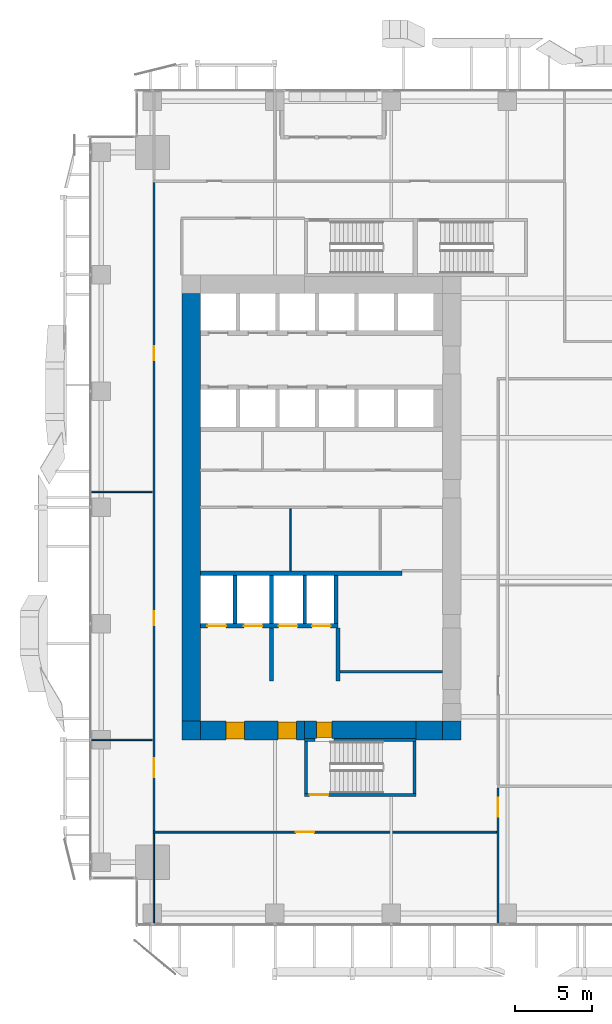
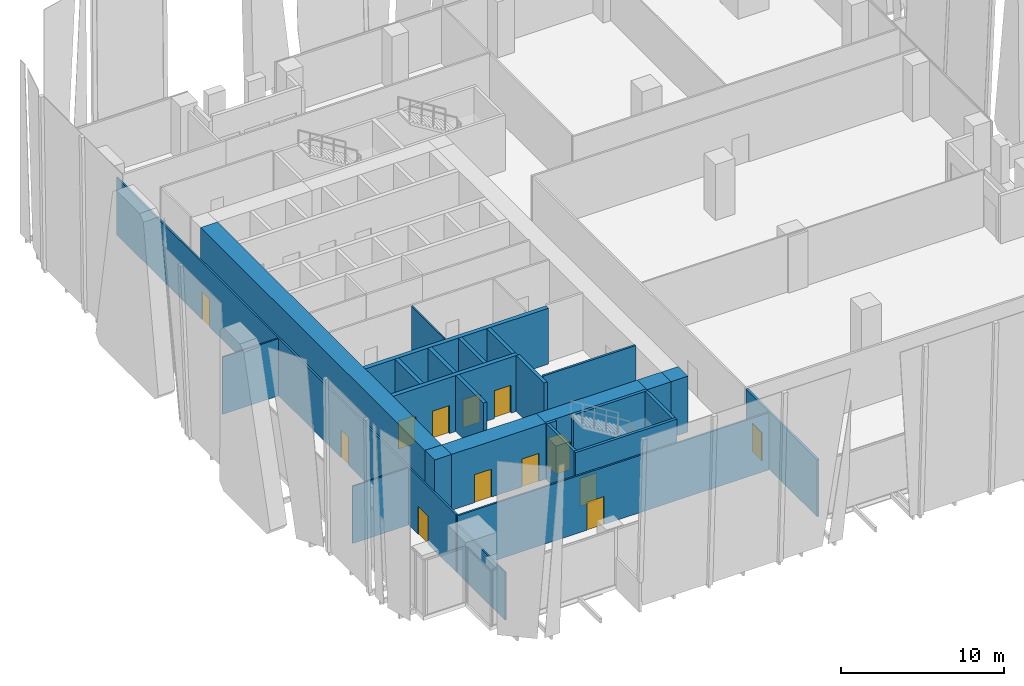
# One storey, part 26 of 34: 27 walls, 13 doors, 13 openings.
"""IFC4 building model written with IfcOpenShell, lengths in metres."""

from ifc_helpers import new_model, si_unit, direction, frame, frame_2d, origin, place, context, subcontext, project, spatial, rectangle, extrude, source, transform, mapped, material, layer, layer_set, type_object, element, fill, save


model = new_model("IFC4")

# Units and contexts
model_context = context("Model", 3, precision=1e-05, world=origin(), true_north=direction((0.0, 1.0)))
body_context = subcontext(model_context, "Body", "Model", "MODEL_VIEW")
ifc_project = project(units=[si_unit("LENGTHUNIT", "METRE"), si_unit("AREAUNIT", "SQUARE_METRE"), si_unit("VOLUMEUNIT", "CUBIC_METRE"), si_unit("PLANEANGLEUNIT", "RADIAN"), si_unit("MASSUNIT", "GRAM", prefix="KILO")], contexts=[model_context])

# Site, building, storey
site_placement = place(None, origin())
site = spatial("IfcSite", under=ifc_project, at=site_placement, CompositionType="ELEMENT")
building_placement = place(site_placement, origin())
building = spatial("IfcBuilding", under=site, at=building_placement, Name="Khomas Fold Tower", CompositionType="ELEMENT")
storey_placement = place(building_placement, frame((0.0, 0.0, 73.5)))
storey = spatial("IfcBuildingStorey", under=building, at=storey_placement, Name="L15", CompositionType="ELEMENT", Elevation=73.5)

# Wall, openings, doors
ifc_material_1 = material(Name="Concrete C70/85", Category="concrete")
ifc_layer_1 = layer(ifc_material_1, 1.199951171875)
ifc_layer_set_1 = layer_set([ifc_layer_1], Name="Concrete C70/85")
wall_type_1 = type_object("IfcWallType", Name="Core wall 1200", PredefinedType="SHEAR", material=ifc_layer_set_1)
shared_shape_1 = source(origin(), body_context, "Body", "SweptSolid", [
    extrude(rectangle(XDim=6.699951171875, YDim=1.199951171875, at=frame_2d((3.35009765625, 0.0))), origin(), (0.0, 0.0, 1.0), 4.199951171875),
])
wall_1_placement = place(storey_placement, frame((7.199951171875, 12.60009765625, 0.0), z_axis=(0.0, 0.0, 1.0), x_axis=(1.0, 0.0, 0.0)))
wall_1 = element("IfcWall", 1, at=wall_1_placement, inside=storey, type_object=wall_type_1, Name="Core wall CW-L-S-B2", PredefinedType="SHEAR", context=body_context, shape_type="MappedRepresentation", body=[
    mapped(shared_shape_1, transform((0.0, 0.0, 0.0))),
])
shared_shape_2 = source(origin(), body_context, "Body", "SweptSolid", [
    extrude(rectangle(XDim=1.199951171875, YDim=2.10009765625, at=frame_2d((0.60009765625, 1.050048828125))), frame((0.0, 0.60986328125, 0.0), z_axis=(0.0, -1.0, 0.0), x_axis=(1.0, 0.0, 0.0)), (0.0, 0.0, 1.0), 1.219970703125),
])
opening_1_placement = place(wall_1_placement, frame((5.0, 0.0, 0.0)))
opening_1 = element("IfcOpeningElement", 2, at=opening_1_placement, cuts=wall_1, Name="Opening 0009", PredefinedType="OPENING", context=body_context, shape_type="MappedRepresentation", body=[
    mapped(shared_shape_2, transform((0.0, 0.0, 0.0))),
])
opening_2_placement = place(wall_1_placement, frame((1.64990234375, 0.0, 0.0)))
opening_2 = element("IfcOpeningElement", 3, at=opening_2_placement, cuts=wall_1, Name="Opening 0009", PredefinedType="OPENING", context=body_context, shape_type="MappedRepresentation", body=[
    mapped(shared_shape_2, transform((0.0, 0.0, 0.0))),
])
ifc_material_2 = material(Name="Steel door leaf", Category="steel")
door_type_1 = type_object("IfcDoorType", Name="Lobby door 1200x2100 right-hand", OperationType="SINGLE_SWING_RIGHT", PredefinedType="DOOR", material=ifc_material_2)
shared_shape_3 = source(origin(), body_context, "Body", "SweptSolid", [
    extrude(rectangle(XDim=1.199951171875, YDim=2.10009765625, at=frame_2d((0.60009765625, 1.050048828125))), frame((0.0, 0.5498046875, 0.0), z_axis=(0.0, -1.0, 0.0), x_axis=(1.0, 0.0, 0.0)), (0.0, 0.0, 1.0), 1.099853515625),
])
door_1_placement = place(opening_1_placement, origin())
door_1 = element("IfcDoor", 4, at=door_1_placement, inside=storey, type_object=door_type_1, Name="Lobby door", OperationType="SINGLE_SWING_RIGHT", OverallHeight=2.10009765625, OverallWidth=1.199951171875, PredefinedType="DOOR", context=body_context, shape_type="MappedRepresentation", body=[
    mapped(shared_shape_3, transform((0.0, 0.0, 0.0))),
])
fill(opening_1, door_1)
door_2_placement = place(opening_2_placement, origin())
door_2 = element("IfcDoor", 5, at=door_2_placement, inside=storey, type_object=door_type_1, Name="Lobby door", OperationType="SINGLE_SWING_RIGHT", OverallHeight=2.10009765625, OverallWidth=1.199951171875, PredefinedType="DOOR", context=body_context, shape_type="MappedRepresentation", body=[
    mapped(shared_shape_3, transform((0.0, 0.0, 0.0))),
])
fill(opening_2, door_2)

# Walls
ifc_material_3 = material(Name="Concrete C70/85", Category="concrete")
ifc_layer_2 = layer(ifc_material_3, 1.199951171875)
ifc_layer_set_2 = layer_set([ifc_layer_2], Name="Concrete C70/85")
wall_type_2 = type_object("IfcWallType", Name="Core corner wall 1200", PredefinedType="SHEAR", material=ifc_layer_set_2)
shared_shape_4 = source(origin(), body_context, "Body", "SweptSolid", [
    extrude(rectangle(XDim=1.199951171875, YDim=1.199951171875, at=frame_2d((0.60009765625, 0.0))), origin(), (0.0, 0.0, 1.0), 4.199951171875),
])
for number, where, z_axis, x_axis, name in (
    (6, (22.800048828125, 12.60009765625, 0.0), (0.0, 0.0, 1.0), (1.0, 0.0, 0.0), "Core wall CW-L-SE-B2"),
    (7, (6.0, 12.60009765625, 0.0), (0.0, 0.0, 1.0), (1.0, 0.0, 0.0), "Core wall CW-L-SW-B2"),
):
    element("IfcWall", number, at=place(storey_placement, frame(where, z_axis=z_axis, x_axis=x_axis)), inside=storey, type_object=wall_type_2, Name=name, PredefinedType="SHEAR", context=body_context, shape_type="MappedRepresentation", body=[
        mapped(shared_shape_4, transform((0.0, 0.0, 0.0))),
    ])

# Wall, opening, door
ifc_material_4 = material(Name="Concrete C70/85", Category="concrete")
ifc_layer_3 = layer(ifc_material_4, 1.10009765625)
ifc_layer_set_3 = layer_set([ifc_layer_3], Name="Concrete C70/85")
wall_type_3 = type_object("IfcWallType", Name="Core wall 1100", PredefinedType="SHEAR", material=ifc_layer_set_3)
shared_shape_5 = source(origin(), body_context, "Body", "SweptSolid", [
    extrude(rectangle(XDim=7.2001953125, YDim=1.10009765625, at=frame_2d((3.60009765625, 0.0))), origin(), (0.0, 0.0, 1.0), 4.199951171875),
])
wall_2_placement = place(storey_placement, frame((13.89990234375, 12.64990234375, 0.0), z_axis=(0.0, 0.0, 1.0), x_axis=(1.0, 0.0, 0.0)))
wall_2 = element("IfcWall", 8, at=wall_2_placement, inside=storey, type_object=wall_type_3, Name="Core wall CW-L-S-B2-1", PredefinedType="SHEAR", context=body_context, shape_type="MappedRepresentation", body=[
    mapped(shared_shape_5, transform((0.0, 0.0, 0.0))),
])
shared_shape_6 = source(origin(), body_context, "Body", "SweptSolid", [
    extrude(rectangle(XDim=1.0, YDim=2.10009765625, at=frame_2d((0.5, 1.050048828125))), frame((0.0, 0.56005859375, 0.0), z_axis=(0.0, -1.0, 0.0), x_axis=(1.0, 0.0, 0.0)), (0.0, 0.0, 1.0), 1.1201171875),
])
opening_3_placement = place(wall_2_placement, frame((0.800048828125, 0.0, 0.0)))
opening_3 = element("IfcOpeningElement", 9, at=opening_3_placement, cuts=wall_2, Name="Opening 0010", PredefinedType="OPENING", context=body_context, shape_type="MappedRepresentation", body=[
    mapped(shared_shape_6, transform((0.0, 0.0, 0.0))),
])
ifc_material_5 = material(Name="Steel door leaf", Category="steel")
door_type_2 = type_object("IfcDoorType", Name="Stair door 1000x2100 right-hand", OperationType="SINGLE_SWING_RIGHT", PredefinedType="DOOR", material=ifc_material_5)
shared_shape_7 = source(origin(), body_context, "Body", "SweptSolid", [
    extrude(rectangle(XDim=1.0, YDim=2.10009765625, at=frame_2d((0.5, 1.050048828125))), frame((0.0, 0.5, 0.0), z_axis=(0.0, -1.0, 0.0), x_axis=(1.0, 0.0, 0.0)), (0.0, 0.0, 1.0), 1.0),
])
door_3_placement = place(opening_3_placement, origin())
door_3 = element("IfcDoor", 10, at=door_3_placement, inside=storey, type_object=door_type_2, Name="Stair door", OperationType="SINGLE_SWING_RIGHT", OverallHeight=2.10009765625, OverallWidth=1.0, PredefinedType="DOOR", context=body_context, shape_type="MappedRepresentation", body=[
    mapped(shared_shape_7, transform((0.0, 0.0, 0.0))),
])
fill(opening_3, door_3)

# Walls
shared_shape_8 = source(origin(), body_context, "Body", "SweptSolid", [
    extrude(rectangle(XDim=1.699951171875, YDim=1.199951171875, at=frame_2d((0.85009765625, 0.0))), origin(), (0.0, 0.0, 1.0), 4.199951171875),
])
wall_3_placement = place(storey_placement, frame((21.10009765625, 12.60009765625, 0.0), z_axis=(0.0, 0.0, 1.0), x_axis=(1.0, 0.0, 0.0)))
element("IfcWall", 11, at=wall_3_placement, inside=storey, type_object=wall_type_1, Name="Core wall CW-L-S-B2-2", PredefinedType="SHEAR", context=body_context, shape_type="MappedRepresentation", body=[
    mapped(shared_shape_8, transform((0.0, 0.0, 0.0))),
])
shared_shape_9 = source(origin(), body_context, "Body", "SweptSolid", [
    extrude(rectangle(XDim=27.60009765625, YDim=1.199951171875, at=frame_2d((13.800048828125, 0.0))), origin(), (0.0, 0.0, 1.0), 4.199951171875),
])
wall_4_placement = place(storey_placement, frame((6.60009765625, 13.199951171875, 0.0), z_axis=(0.0, 0.0, 1.0), x_axis=(0.0, 1.0, 0.0)))
element("IfcWall", 12, at=wall_4_placement, inside=storey, type_object=wall_type_1, Name="Core wall CW-L-W-B2", PredefinedType="SHEAR", context=body_context, shape_type="MappedRepresentation", body=[
    mapped(shared_shape_9, transform((0.0, 0.0, 0.0))),
])
ifc_material_6 = material(Name="Concrete C50/60", Category="concrete")
ifc_layer_4 = layer(ifc_material_6, 0.199951171875)
ifc_layer_set_4 = layer_set([ifc_layer_4], Name="Concrete C50/60")
wall_type_4 = type_object("IfcWallType", Name="Stair wall 200", PredefinedType="SHEAR", material=ifc_layer_set_4)
shared_shape_10 = source(origin(), body_context, "Body", "SweptSolid", [
    extrude(rectangle(XDim=0.7001953125, YDim=0.199951171875, at=frame_2d((0.35009765625, 0.0))), origin(), (0.0, 0.0, 1.0), 4.199951171875),
])
wall_5_placement = place(storey_placement, frame((13.89990234375, 12.0, 0.0), z_axis=(0.0, 0.0, 1.0), x_axis=(1.0, 0.0, 0.0)))
element("IfcWall", 13, at=wall_5_placement, inside=storey, type_object=wall_type_4, Name="Stair wall SW-ST2-N", PredefinedType="SHEAR", context=body_context, shape_type="MappedRepresentation", body=[
    mapped(shared_shape_10, transform((0.0, 0.0, 0.0))),
])
shared_shape_11 = source(origin(), body_context, "Body", "SweptSolid", [
    extrude(rectangle(XDim=5.300048828125, YDim=0.199951171875, at=frame_2d((2.64990234375, 0.0))), origin(), (0.0, 0.0, 1.0), 4.199951171875),
])
wall_6_placement = place(storey_placement, frame((15.800048828125, 12.0, 0.0), z_axis=(0.0, 0.0, 1.0), x_axis=(1.0, 0.0, 0.0)))
element("IfcWall", 14, at=wall_6_placement, inside=storey, type_object=wall_type_4, Name="Stair wall SW-ST2-NB", PredefinedType="SHEAR", context=body_context, shape_type="MappedRepresentation", body=[
    mapped(shared_shape_11, transform((0.0, 0.0, 0.0))),
])

# Wall, opening, door
shared_shape_12 = source(origin(), body_context, "Body", "SweptSolid", [
    extrude(rectangle(XDim=7.2001953125, YDim=0.199951171875, at=frame_2d((3.60009765625, 0.0))), origin(), (0.0, 0.0, 1.0), 4.199951171875),
])
wall_7_placement = place(storey_placement, frame((13.89990234375, 8.449951171875, 0.0), z_axis=(0.0, 0.0, 1.0), x_axis=(1.0, 0.0, 0.0)))
wall_7 = element("IfcWall", 15, at=wall_7_placement, inside=storey, type_object=wall_type_4, Name="Stair wall SW-ST2-S", PredefinedType="SHEAR", context=body_context, shape_type="MappedRepresentation", body=[
    mapped(shared_shape_12, transform((0.0, 0.0, 0.0))),
])
shared_shape_13 = source(origin(), body_context, "Body", "SweptSolid", [
    extrude(rectangle(XDim=1.199951171875, YDim=2.10009765625, at=frame_2d((0.60009765625, 1.050048828125))), frame((0.0, 0.10986328125, 0.0), z_axis=(0.0, -1.0, 0.0), x_axis=(1.0, 0.0, 0.0)), (0.0, 0.0, 1.0), 0.219970703125),
])
opening_4_placement = place(wall_7_placement, frame((0.35009765625, 0.0, 0.0)))
opening_4 = element("IfcOpeningElement", 16, at=opening_4_placement, cuts=wall_7, Name="Opening SD-ST2", PredefinedType="OPENING", context=body_context, shape_type="MappedRepresentation", body=[
    mapped(shared_shape_13, transform((0.0, 0.0, 0.0))),
])
ifc_material_7 = material(Name="Steel door leaf", Category="steel")
door_type_3 = type_object("IfcDoorType", Name="Stair door 1200x2100 right-hand", OperationType="SINGLE_SWING_RIGHT", PredefinedType="DOOR", material=ifc_material_7)
shared_shape_14 = source(origin(), body_context, "Body", "SweptSolid", [
    extrude(rectangle(XDim=1.199951171875, YDim=2.10009765625, at=frame_2d((0.60009765625, 1.050048828125))), frame((0.0, 0.02490234375, 0.0), z_axis=(0.0, -1.0, 0.0), x_axis=(1.0, 0.0, 0.0)), (0.0, 0.0, 1.0), 0.050048828125),
])
door_4_placement = place(opening_4_placement, origin())
door_4 = element("IfcDoor", 17, at=door_4_placement, inside=storey, type_object=door_type_3, Name="Stair door", OperationType="SINGLE_SWING_RIGHT", OverallHeight=2.10009765625, OverallWidth=1.199951171875, PredefinedType="DOOR", context=body_context, shape_type="MappedRepresentation", body=[
    mapped(shared_shape_14, transform((0.0, 0.0, 0.0))),
])
fill(opening_4, door_4)

# Walls
shared_shape_15 = source(origin(), body_context, "Body", "SweptSolid", [
    extrude(rectangle(XDim=3.349853515625, YDim=0.199951171875, at=frame_2d((1.6748046875, 0.0))), origin(), (0.0, 0.0, 1.0), 4.199951171875),
])
for number, where, z_axis, x_axis, name in (
    (18, (21.0, 8.550048828125, 0.0), (0.0, 0.0, 1.0), (0.0, 1.0, 0.0), "Stair wall SW-ST2-E"),
    (19, (14.0, 8.550048828125, 0.0), (0.0, 0.0, 1.0), (0.0, 1.0, 0.0), "Stair wall SW-ST2-W"),
):
    element("IfcWall", number, at=place(storey_placement, frame(where, z_axis=z_axis, x_axis=x_axis)), inside=storey, type_object=wall_type_4, Name=name, PredefinedType="SHEAR", context=body_context, shape_type="MappedRepresentation", body=[
        mapped(shared_shape_15, transform((0.0, 0.0, 0.0))),
    ])
ifc_material_8 = material(Name="Concrete C50/60", Category="concrete")
ifc_layer_5 = layer(ifc_material_8, 0.300048828125)
ifc_layer_set_5 = layer_set([ifc_layer_5], Name="Concrete C50/60")
wall_type_5 = type_object("IfcWallType", Name="Shaft wall 300", PredefinedType="STANDARD", material=ifc_layer_set_5)
shared_shape_16 = source(origin(), body_context, "Body", "SweptSolid", [
    extrude(rectangle(XDim=13.0, YDim=0.300048828125, at=frame_2d((6.5, 0.0))), origin(), (0.0, 0.0, 1.0), 4.199951171875),
])
wall_8_placement = place(storey_placement, frame((7.199951171875, 22.75, 0.0), z_axis=(0.0, 0.0, 1.0), x_axis=(1.0, 0.0, 0.0)))
element("IfcWall", 20, at=wall_8_placement, inside=storey, type_object=wall_type_5, Name="Core wall SW-FS-B", PredefinedType="STANDARD", context=body_context, shape_type="MappedRepresentation", body=[
    mapped(shared_shape_16, transform((0.0, 0.0, 0.0))),
])

# Wall, openings, doors
shared_shape_17 = source(origin(), body_context, "Body", "SweptSolid", [
    extrude(rectangle(XDim=8.875, YDim=0.300048828125, at=frame_2d((4.4375, 0.0))), origin(), (0.0, 0.0, 1.0), 4.199951171875),
])
wall_9_placement = place(storey_placement, frame((7.199951171875, 19.35009765625, 0.0), z_axis=(0.0, 0.0, 1.0), x_axis=(1.0, 0.0, 0.0)))
wall_9 = element("IfcWall", 21, at=wall_9_placement, inside=storey, type_object=wall_type_5, Name="Core wall SW-FS-F", PredefinedType="STANDARD", context=body_context, shape_type="MappedRepresentation", body=[
    mapped(shared_shape_17, transform((0.0, 0.0, 0.0))),
])
shared_shape_18 = source(origin(), body_context, "Body", "SweptSolid", [
    extrude(rectangle(XDim=1.199951171875, YDim=2.10009765625, at=frame_2d((0.60009765625, 1.050048828125))), frame((0.0, 0.159912109375, 0.0), z_axis=(0.0, -1.0, 0.0), x_axis=(1.0, 0.0, 0.0)), (0.0, 0.0, 1.0), 0.320068359375),
])
opening_5_placement = place(wall_9_placement, frame((0.449951171875, 0.0, 0.0)))
opening_5 = element("IfcOpeningElement", 22, at=opening_5_placement, cuts=wall_9, Name="Opening LD-SV1", PredefinedType="OPENING", context=body_context, shape_type="MappedRepresentation", body=[
    mapped(shared_shape_18, transform((0.0, 0.0, 0.0))),
])
opening_6_placement = place(wall_9_placement, frame((2.800048828125, 0.0, 0.0)))
opening_6 = element("IfcOpeningElement", 23, at=opening_6_placement, cuts=wall_9, Name="Opening LD-SV2", PredefinedType="OPENING", context=body_context, shape_type="MappedRepresentation", body=[
    mapped(shared_shape_18, transform((0.0, 0.0, 0.0))),
])
opening_7_placement = place(wall_9_placement, frame((5.050048828125, 0.0, 0.0)))
opening_7 = element("IfcOpeningElement", 24, at=opening_7_placement, cuts=wall_9, Name="Opening LD-FF1", PredefinedType="OPENING", context=body_context, shape_type="MappedRepresentation", body=[
    mapped(shared_shape_18, transform((0.0, 0.0, 0.0))),
])
opening_8_placement = place(wall_9_placement, frame((7.199951171875, 0.0, 0.0)))
opening_8 = element("IfcOpeningElement", 25, at=opening_8_placement, cuts=wall_9, Name="Opening LD-FF2", PredefinedType="OPENING", context=body_context, shape_type="MappedRepresentation", body=[
    mapped(shared_shape_18, transform((0.0, 0.0, 0.0))),
])
ifc_material_9 = material(Name="Steel door leaf", Category="steel")
door_type_4 = type_object("IfcDoorType", Name="Landing door 1200x2100", OperationType="DOUBLE_DOOR_SLIDING", PredefinedType="DOOR", material=ifc_material_9)
door_5_placement = place(opening_5_placement, origin())
door_5 = element("IfcDoor", 26, at=door_5_placement, inside=storey, type_object=door_type_4, Name="Lift landing door", OperationType="DOUBLE_DOOR_SLIDING", OverallHeight=2.10009765625, OverallWidth=1.199951171875, PredefinedType="DOOR", context=body_context, shape_type="MappedRepresentation", body=[
    mapped(shared_shape_14, transform((0.0, 0.0, 0.0))),
])
fill(opening_5, door_5)
door_6_placement = place(opening_6_placement, origin())
door_6 = element("IfcDoor", 27, at=door_6_placement, inside=storey, type_object=door_type_4, Name="Lift landing door", OperationType="DOUBLE_DOOR_SLIDING", OverallHeight=2.10009765625, OverallWidth=1.199951171875, PredefinedType="DOOR", context=body_context, shape_type="MappedRepresentation", body=[
    mapped(shared_shape_14, transform((0.0, 0.0, 0.0))),
])
fill(opening_6, door_6)
door_7_placement = place(opening_7_placement, origin())
door_7 = element("IfcDoor", 28, at=door_7_placement, inside=storey, type_object=door_type_4, Name="Lift landing door", OperationType="DOUBLE_DOOR_SLIDING", OverallHeight=2.10009765625, OverallWidth=1.199951171875, PredefinedType="DOOR", context=body_context, shape_type="MappedRepresentation", body=[
    mapped(shared_shape_14, transform((0.0, 0.0, 0.0))),
])
fill(opening_7, door_7)
door_8_placement = place(opening_8_placement, origin())
door_8 = element("IfcDoor", 29, at=door_8_placement, inside=storey, type_object=door_type_4, Name="Lift landing door", OperationType="DOUBLE_DOOR_SLIDING", OverallHeight=2.10009765625, OverallWidth=1.199951171875, PredefinedType="DOOR", context=body_context, shape_type="MappedRepresentation", body=[
    mapped(shared_shape_14, transform((0.0, 0.0, 0.0))),
])
fill(opening_8, door_8)

# Walls
ifc_material_10 = material(Name="Concrete C50/60", Category="concrete")
ifc_layer_6 = layer(ifc_material_10, 0.25)
ifc_layer_set_6 = layer_set([ifc_layer_6], Name="Concrete C50/60")
wall_type_6 = type_object("IfcWallType", Name="Shaft wall 250", PredefinedType="STANDARD", material=ifc_layer_set_6)
shared_shape_19 = source(origin(), body_context, "Body", "SweptSolid", [
    extrude(rectangle(XDim=3.10009765625, YDim=0.25, at=frame_2d((1.550048828125, 0.0))), origin(), (0.0, 0.0, 1.0), 4.199951171875),
])
for number, where, z_axis, x_axis, name in (
    (30, (9.425048828125, 19.5, 0.0), (0.0, 0.0, 1.0), (0.0, 1.0, 0.0), "Core wall SW-FS-P1"),
    (31, (11.77490234375, 19.5, 0.0), (0.0, 0.0, 1.0), (0.0, 1.0, 0.0), "Core wall SW-FS-P2"),
    (32, (13.925048828125, 19.5, 0.0), (0.0, 0.0, 1.0), (0.0, 1.0, 0.0), "Core wall SW-FS-P3"),
    (33, (15.949951171875, 19.5, 0.0), (0.0, 0.0, 1.0), (0.0, 1.0, 0.0), "Core wall SW-FS-PE"),
):
    element("IfcWall", number, at=place(storey_placement, frame(where, z_axis=z_axis, x_axis=x_axis)), inside=storey, type_object=wall_type_6, Name=name, PredefinedType="STANDARD", context=body_context, shape_type="MappedRepresentation", body=[
        mapped(shared_shape_19, transform((0.0, 0.0, 0.0))),
    ])
ifc_material_11 = material(Name="Concrete C50/60", Category="concrete")
ifc_layer_7 = layer(ifc_material_11, 0.25)
ifc_layer_set_7 = layer_set([ifc_layer_7], Name="Concrete C50/60")
wall_type_7 = type_object("IfcWallType", Name="Lobby wall 250", PredefinedType="STANDARD", material=ifc_layer_set_7)
shared_shape_20 = source(origin(), body_context, "Body", "SweptSolid", [
    extrude(rectangle(XDim=3.39990234375, YDim=0.25, at=frame_2d((1.699951171875, 0.0))), origin(), (0.0, 0.0, 1.0), 4.199951171875),
])
for number, where, z_axis, x_axis, name in (
    (34, (16.074951171875, 15.800048828125, 0.0), (0.0, 0.0, 1.0), (0.0, 1.0, 0.0), "Core wall SW-FS-LOB-E"),
    (35, (11.77490234375, 15.800048828125, 0.0), (0.0, 0.0, 1.0), (0.0, 1.0, 0.0), "Core wall SW-FS-SEP"),
):
    element("IfcWall", number, at=place(storey_placement, frame(where, z_axis=z_axis, x_axis=x_axis)), inside=storey, type_object=wall_type_7, Name=name, PredefinedType="STANDARD", context=body_context, shape_type="MappedRepresentation", body=[
        mapped(shared_shape_20, transform((0.0, 0.0, 0.0))),
    ])
ifc_material_12 = material(Name="Plasterboard partition")
ifc_layer_8 = layer(ifc_material_12, 0.10009765625)
ifc_layer_set_8 = layer_set([ifc_layer_8], Name="Plasterboard partition")
wall_type_8 = type_object("IfcWallType", Name="Partition PW1 100", PredefinedType="PARTITIONING", material=ifc_layer_set_8)
shared_shape_21 = source(origin(), body_context, "Body", "SweptSolid", [
    extrude(rectangle(XDim=5.800048828125, YDim=0.10009765625, at=frame_2d((2.89990234375, 0.0))), origin(), (0.0, 0.0, 1.0), 3.60009765625),
])
wall_10_placement = place(storey_placement, frame((4.199951171875, 0.14990234375, 0.0), z_axis=(0.0, 0.0, 1.0), x_axis=(0.0, 1.0, 0.0)))
element("IfcWall", 36, at=wall_10_placement, inside=storey, type_object=wall_type_8, Name="Partition", PredefinedType="PARTITIONING", context=body_context, shape_type="MappedRepresentation", body=[
    mapped(shared_shape_21, transform((0.0, 0.0, 0.0))),
])

# Wall, opening, door
ifc_material_13 = material(Name="Plasterboard partition")
ifc_layer_9 = layer(ifc_material_13, 0.125)
ifc_layer_set_9 = layer_set([ifc_layer_9], Name="Plasterboard partition")
wall_type_9 = type_object("IfcWallType", Name="Partition PW2 125", PredefinedType="PARTITIONING", material=ifc_layer_set_9)
shared_shape_22 = source(origin(), body_context, "Body", "SweptSolid", [
    extrude(rectangle(XDim=22.150146484375, YDim=0.125, at=frame_2d((11.0751953125, 0.0))), origin(), (0.0, 0.0, 1.0), 4.300048828125),
])
wall_11_placement = place(storey_placement, frame((4.14990234375, 6.050048828125, 0.0), z_axis=(0.0, 0.0, 1.0), x_axis=(1.0, 0.0, 0.0)))
wall_11 = element("IfcWall", 37, at=wall_11_placement, inside=storey, type_object=wall_type_9, Name="Partition", PredefinedType="PARTITIONING", context=body_context, shape_type="MappedRepresentation", body=[
    mapped(shared_shape_22, transform((0.0, 0.0, 0.0))),
])
shared_shape_23 = source(origin(), body_context, "Body", "SweptSolid", [
    extrude(rectangle(XDim=1.199951171875, YDim=2.10009765625, at=frame_2d((0.60009765625, 1.050048828125))), frame((0.0, 0.072509765625, 0.0), z_axis=(0.0, -1.0, 0.0), x_axis=(1.0, 0.0, 0.0)), (0.0, 0.0, 1.0), 0.14501953125),
])
opening_9_placement = place(wall_11_placement, frame((9.199951171875, 0.0, 0.0)))
opening_9 = element("IfcOpeningElement", 38, at=opening_9_placement, cuts=wall_11, Name="Opening 0013", PredefinedType="OPENING", context=body_context, shape_type="MappedRepresentation", body=[
    mapped(shared_shape_23, transform((0.0, 0.0, 0.0))),
])
ifc_material_14 = material(Name="Timber door leaf", Category="wood")
door_type_5 = type_object("IfcDoorType", Name="Door 1200x2100 left-hand", OperationType="SINGLE_SWING_LEFT", PredefinedType="DOOR", material=ifc_material_14)
door_9_placement = place(opening_9_placement, origin())
door_9 = element("IfcDoor", 39, at=door_9_placement, inside=storey, type_object=door_type_5, Name="Door", OperationType="SINGLE_SWING_LEFT", OverallHeight=2.10009765625, OverallWidth=1.199951171875, PredefinedType="DOOR", context=body_context, shape_type="MappedRepresentation", body=[
    mapped(shared_shape_14, transform((0.0, 0.0, 0.0))),
])
fill(opening_9, door_9)

# Walls
shared_shape_24 = source(origin(), body_context, "Body", "SweptSolid", [
    extrude(rectangle(XDim=3.9501953125, YDim=0.10009765625, at=frame_2d((1.97509765625, 0.0))), origin(), (0.0, 0.0, 1.0), 4.300048828125),
])
for number, where, z_axis, x_axis, name in (
    (40, (0.14990234375, 12.0, 0.0), (0.0, 0.0, 1.0), (1.0, 0.0, 0.0), "Partition"),
    (41, (0.14990234375, 28.0, 0.0), (0.0, 0.0, 1.0), (1.0, 0.0, 0.0), "Partition"),
):
    element("IfcWall", number, at=place(storey_placement, frame(where, z_axis=z_axis, x_axis=x_axis)), inside=storey, type_object=wall_type_8, Name=name, PredefinedType="PARTITIONING", context=body_context, shape_type="MappedRepresentation", body=[
        mapped(shared_shape_24, transform((0.0, 0.0, 0.0))),
    ])
ifc_material_15 = material(Name="Plasterboard fire partition")
ifc_layer_10 = layer(ifc_material_15, 0.14990234375)
ifc_layer_set_10 = layer_set([ifc_layer_10], Name="Plasterboard fire partition")
wall_type_10 = type_object("IfcWallType", Name="Plant room wall PW3 150", PredefinedType="PARTITIONING", material=ifc_layer_set_10)
shared_shape_25 = source(origin(), body_context, "Body", "SweptSolid", [
    extrude(rectangle(XDim=6.60009765625, YDim=0.14990234375, at=frame_2d((3.300048828125, 0.0))), origin(), (0.0, 0.0, 1.0), 4.300048828125),
])
wall_12_placement = place(storey_placement, frame((16.199951171875, 16.39990234375, 0.0), z_axis=(0.0, 0.0, 1.0), x_axis=(1.0, 0.0, 0.0)))
element("IfcWall", 42, at=wall_12_placement, inside=storey, type_object=wall_type_10, Name="Plant room wall", PredefinedType="PARTITIONING", context=body_context, shape_type="MappedRepresentation", body=[
    mapped(shared_shape_25, transform((0.0, 0.0, 0.0))),
])

# Wall, openings, doors
shared_shape_26 = source(origin(), body_context, "Body", "SweptSolid", [
    extrude(rectangle(XDim=41.800048828125, YDim=0.125, at=frame_2d((20.89990234375, 0.0))), origin(), (0.0, 0.0, 1.0), 4.300048828125),
])
wall_13_placement = place(storey_placement, frame((4.199951171875, 6.14990234375, 0.0), z_axis=(0.0, 0.0, 1.0), x_axis=(0.0, 1.0, 0.0)))
wall_13 = element("IfcWall", 43, at=wall_13_placement, inside=storey, type_object=wall_type_9, Name="Partition", PredefinedType="PARTITIONING", context=body_context, shape_type="MappedRepresentation", body=[
    mapped(shared_shape_26, transform((0.0, 0.0, 0.0))),
])
opening_10_placement = place(wall_13_placement, frame((3.449951171875, 0.0, 0.0)))
opening_10 = element("IfcOpeningElement", 44, at=opening_10_placement, cuts=wall_13, Name="Opening 0001", PredefinedType="OPENING", context=body_context, shape_type="MappedRepresentation", body=[
    mapped(shared_shape_23, transform((0.0, 0.0, 0.0))),
])
shared_shape_27 = source(origin(), body_context, "Body", "SweptSolid", [
    extrude(rectangle(XDim=0.89990234375, YDim=2.10009765625, at=frame_2d((0.449951171875, 1.050048828125))), frame((0.0, 0.072509765625, 0.0), z_axis=(0.0, -1.0, 0.0), x_axis=(1.0, 0.0, 0.0)), (0.0, 0.0, 1.0), 0.14501953125),
])
opening_11_placement = place(wall_13_placement, frame((13.25, 0.0, 0.0)))
opening_11 = element("IfcOpeningElement", 45, at=opening_11_placement, cuts=wall_13, Name="Opening 0008", PredefinedType="OPENING", context=body_context, shape_type="MappedRepresentation", body=[
    mapped(shared_shape_27, transform((0.0, 0.0, 0.0))),
])
opening_12_placement = place(wall_13_placement, frame((30.35009765625, 0.0, 0.0)))
opening_12 = element("IfcOpeningElement", 46, at=opening_12_placement, cuts=wall_13, Name="Opening 0007", PredefinedType="OPENING", context=body_context, shape_type="MappedRepresentation", body=[
    mapped(shared_shape_27, transform((0.0, 0.0, 0.0))),
])
ifc_material_16 = material(Name="Timber door leaf", Category="wood")
door_type_6 = type_object("IfcDoorType", Name="Door 900x2100 right-hand", OperationType="SINGLE_SWING_RIGHT", PredefinedType="DOOR", material=ifc_material_16)
shared_shape_28 = source(origin(), body_context, "Body", "SweptSolid", [
    extrude(rectangle(XDim=0.89990234375, YDim=2.10009765625, at=frame_2d((0.449951171875, 1.050048828125))), frame((0.0, 0.02490234375, 0.0), z_axis=(0.0, -1.0, 0.0), x_axis=(1.0, 0.0, 0.0)), (0.0, 0.0, 1.0), 0.050048828125),
])
door_10_placement = place(opening_11_placement, origin())
door_10 = element("IfcDoor", 47, at=door_10_placement, inside=storey, type_object=door_type_6, Name="Door", OperationType="SINGLE_SWING_RIGHT", OverallHeight=2.10009765625, OverallWidth=0.89990234375, PredefinedType="DOOR", context=body_context, shape_type="MappedRepresentation", body=[
    mapped(shared_shape_28, transform((0.0, 0.0, 0.0))),
])
fill(opening_11, door_10)
ifc_material_17 = material(Name="Timber door leaf", Category="wood")
door_type_7 = type_object("IfcDoorType", Name="Door 900x2100 left-hand", OperationType="SINGLE_SWING_LEFT", PredefinedType="DOOR", material=ifc_material_17)
door_11_placement = place(opening_12_placement, origin())
door_11 = element("IfcDoor", 48, at=door_11_placement, inside=storey, type_object=door_type_7, Name="Door", OperationType="SINGLE_SWING_LEFT", OverallHeight=2.10009765625, OverallWidth=0.89990234375, PredefinedType="DOOR", context=body_context, shape_type="MappedRepresentation", body=[
    mapped(shared_shape_28, transform((0.0, 0.0, 0.0))),
])
fill(opening_12, door_11)
ifc_material_18 = material(Name="Timber door leaf", Category="wood")
door_type_8 = type_object("IfcDoorType", Name="Door 1200x2100 right-hand", OperationType="SINGLE_SWING_RIGHT", PredefinedType="DOOR", material=ifc_material_18)
door_12_placement = place(opening_10_placement, origin())
door_12 = element("IfcDoor", 49, at=door_12_placement, inside=storey, type_object=door_type_8, Name="Door", OperationType="SINGLE_SWING_RIGHT", OverallHeight=2.10009765625, OverallWidth=1.199951171875, PredefinedType="DOOR", context=body_context, shape_type="MappedRepresentation", body=[
    mapped(shared_shape_14, transform((0.0, 0.0, 0.0))),
])
fill(opening_10, door_12)

# Wall, opening, door
shared_shape_29 = source(origin(), body_context, "Body", "SweptSolid", [
    extrude(rectangle(XDim=8.75, YDim=0.14990234375, at=frame_2d((4.375, 0.0))), origin(), (0.0, 0.0, 1.0), 4.300048828125),
])
wall_14_placement = place(storey_placement, frame((26.39990234375, 0.14990234375, 0.0), z_axis=(0.0, 0.0, 1.0), x_axis=(0.0, 1.0, 0.0)))
wall_14 = element("IfcWall", 50, at=wall_14_placement, inside=storey, type_object=wall_type_10, Name="Plant room wall", PredefinedType="PARTITIONING", context=body_context, shape_type="MappedRepresentation", body=[
    mapped(shared_shape_29, transform((0.0, 0.0, 0.0))),
])
shared_shape_30 = source(origin(), body_context, "Body", "SweptSolid", [
    extrude(rectangle(XDim=1.199951171875, YDim=2.10009765625, at=frame_2d((0.60009765625, 1.050048828125))), frame((0.0, 0.0849609375, 0.0), z_axis=(0.0, -1.0, 0.0), x_axis=(1.0, 0.0, 0.0)), (0.0, 0.0, 1.0), 0.169921875),
])
opening_13_placement = place(wall_14_placement, frame((6.89990234375, 0.0, 0.0)))
opening_13 = element("IfcOpeningElement", 51, at=opening_13_placement, cuts=wall_14, Name="Opening 0011", PredefinedType="OPENING", context=body_context, shape_type="MappedRepresentation", body=[
    mapped(shared_shape_30, transform((0.0, 0.0, 0.0))),
])
ifc_material_19 = material(Name="Steel door leaf", Category="steel")
door_type_9 = type_object("IfcDoorType", Name="Plant room door 1200x2100 right-hand", OperationType="SINGLE_SWING_RIGHT", PredefinedType="DOOR", material=ifc_material_19)
door_13_placement = place(opening_13_placement, origin())
door_13 = element("IfcDoor", 52, at=door_13_placement, inside=storey, type_object=door_type_9, Name="Plant room door", OperationType="SINGLE_SWING_RIGHT", OverallHeight=2.10009765625, OverallWidth=1.199951171875, PredefinedType="DOOR", context=body_context, shape_type="MappedRepresentation", body=[
    mapped(shared_shape_14, transform((0.0, 0.0, 0.0))),
])
fill(opening_13, door_13)

# Wall
shared_shape_31 = source(origin(), body_context, "Body", "SweptSolid", [
    extrude(rectangle(XDim=4.0, YDim=0.10009765625, at=frame_2d((2.0, 0.0))), origin(), (0.0, 0.0, 1.0), 4.300048828125),
])
wall_15_placement = place(storey_placement, frame((13.0, 22.89990234375, 0.0), z_axis=(0.0, 0.0, 1.0), x_axis=(0.0, 1.0, 0.0)))
element("IfcWall", 53, at=wall_15_placement, inside=storey, type_object=wall_type_8, Name="Partition", PredefinedType="PARTITIONING", context=body_context, shape_type="MappedRepresentation", body=[
    mapped(shared_shape_31, transform((0.0, 0.0, 0.0))),
])

save(model, "model.ifc")
